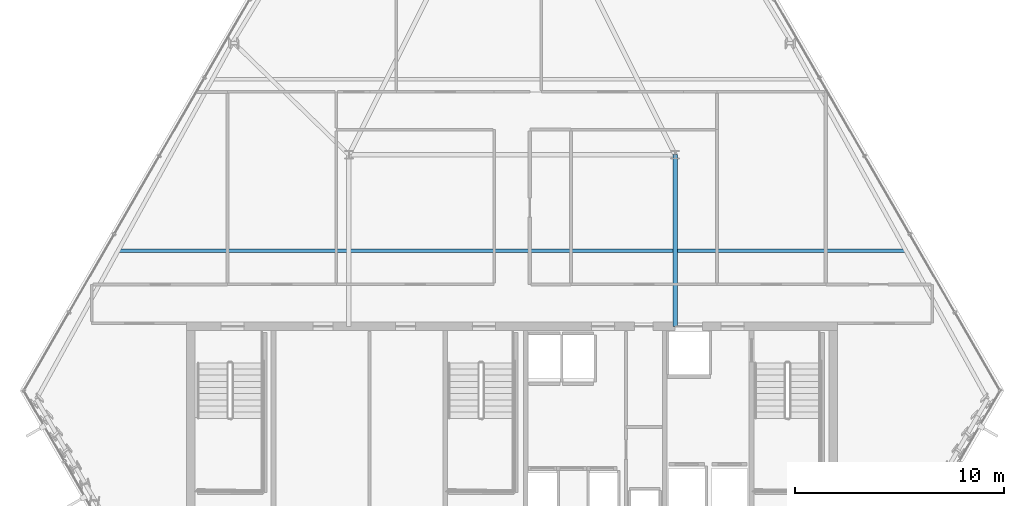
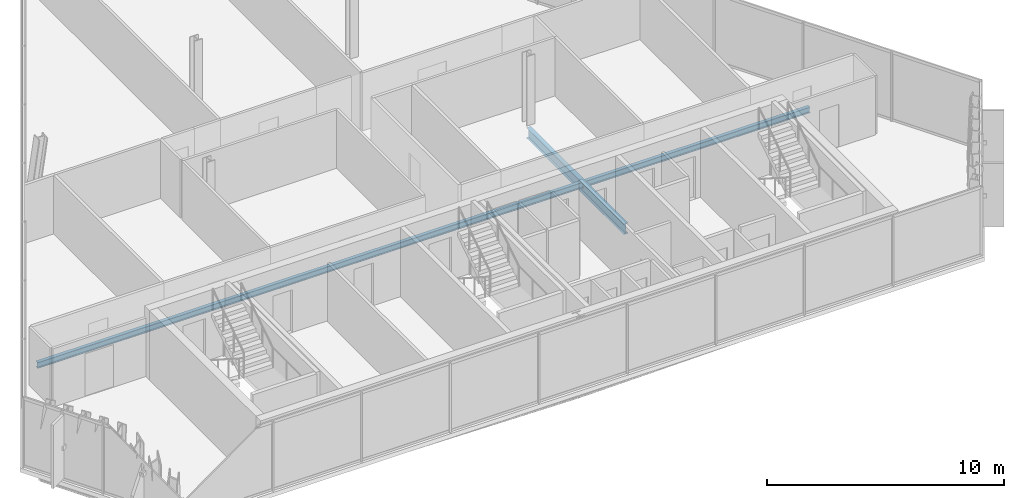
# One storey, part 9 of 30: 2 beams.
"""IFC4 building model written with IfcOpenShell, lengths in metres."""

from ifc_helpers import new_model, si_unit, direction, frame, origin, origin_2d, place, context, subcontext, project, spatial, i_section, extrude, material, material_profile, profile_set, type_object, element, save


model = new_model("IFC4")

# Units and contexts
model_context = context("Model", 3, precision=1e-05, world=origin(), true_north=direction((0.0, 1.0)))
body_context = subcontext(model_context, "Body", "Model", "MODEL_VIEW")
ifc_project = project(units=[si_unit("LENGTHUNIT", "METRE"), si_unit("AREAUNIT", "SQUARE_METRE"), si_unit("VOLUMEUNIT", "CUBIC_METRE"), si_unit("PLANEANGLEUNIT", "RADIAN"), si_unit("MASSUNIT", "GRAM", prefix="KILO")], contexts=[model_context])

# Site, building, storey
site_placement = place(None, origin())
site = spatial("IfcSite", under=ifc_project, at=site_placement, CompositionType="ELEMENT")
building_placement = place(site_placement, origin())
building = spatial("IfcBuilding", under=site, at=building_placement, Name="Ndaravel Arena Tower", CompositionType="ELEMENT")
storey_placement = place(building_placement, frame((0.0, 0.0, 225.60009765625)))
storey = spatial("IfcBuildingStorey", under=building, at=storey_placement, Name="L54", CompositionType="ELEMENT", Elevation=225.60009765625)

# Beams
ifc_material_1 = material(Name="Steel S355", Category="steel")
ifc_material_profile_1 = material_profile(ifc_material_1, i_section(OverallWidth=0.210693359375, OverallDepth=0.53955078125, WebThickness=0.01171875, FlangeThickness=0.018798828125, FilletRadius=0.0126953125, at=origin_2d()), Name="UB 533x210x109")
ifc_profile_set_1 = profile_set([ifc_material_profile_1], Name="Steel S355")
beam_type_1 = type_object("IfcBeamType", Name="BM-GIRD-UB533", PredefinedType="BEAM", material=ifc_profile_set_1)
beam_1_placement = place(storey_placement, frame((49.800048828125, 14.97998046875, -0.48974609375), z_axis=(0.0, 1.0, 0.0), x_axis=(-1.0, 0.0, 0.0)))
element("IfcBeam", 1, at=beam_1_placement, inside=storey, type_object=beam_type_1, Name="L54 Spine Link Girder SLG-02", PredefinedType="BEAM", context=body_context, shape_type="SweptSolid", body=[
    extrude(i_section(OverallWidth=0.210693359375, OverallDepth=0.53955078125, WebThickness=0.01171875, FlangeThickness=0.018798828125, FilletRadius=0.0126953125, at=origin_2d()), origin(), (0.0, 0.0, 1.0), 8.219970703125),
])
ifc_material_2 = material(Name="Steel S355", Category="steel")
ifc_material_profile_2 = material_profile(ifc_material_2, i_section(OverallWidth=0.165771484375, OverallDepth=0.306640625, WebThickness=0.006591796875, FlangeThickness=0.01171875, FilletRadius=0.0087890625, at=origin_2d()), Name="UB 305x165x46")
ifc_profile_set_2 = profile_set([ifc_material_profile_2], Name="Steel S355")
beam_type_2 = type_object("IfcBeamType", Name="BM-JOIST-UB305", PredefinedType="JOIST", material=ifc_profile_set_2)
beam_2_placement = place(storey_placement, frame((23.1640625, 18.60009765625, -0.373291015625), z_axis=(1.0, 0.0, 0.0), x_axis=(0.0, 1.0, 0.0)))
element("IfcBeam", 2, at=beam_2_placement, inside=storey, type_object=beam_type_2, Name="L54 Composite Floor Joist FJ-01", PredefinedType="JOIST", context=body_context, shape_type="SweptSolid", body=[
    extrude(i_section(OverallWidth=0.165771484375, OverallDepth=0.306640625, WebThickness=0.006591796875, FlangeThickness=0.01171875, FilletRadius=0.0087890625, at=origin_2d()), origin(), (0.0, 0.0, 1.0), 37.671875),
])

save(model, "model.ifc")
